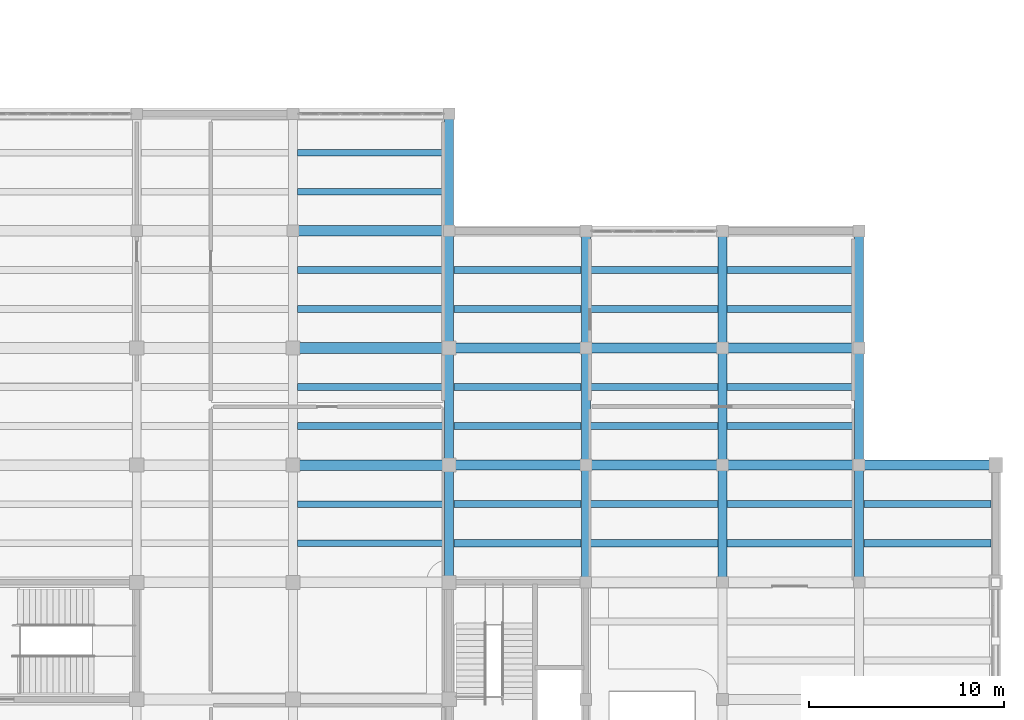
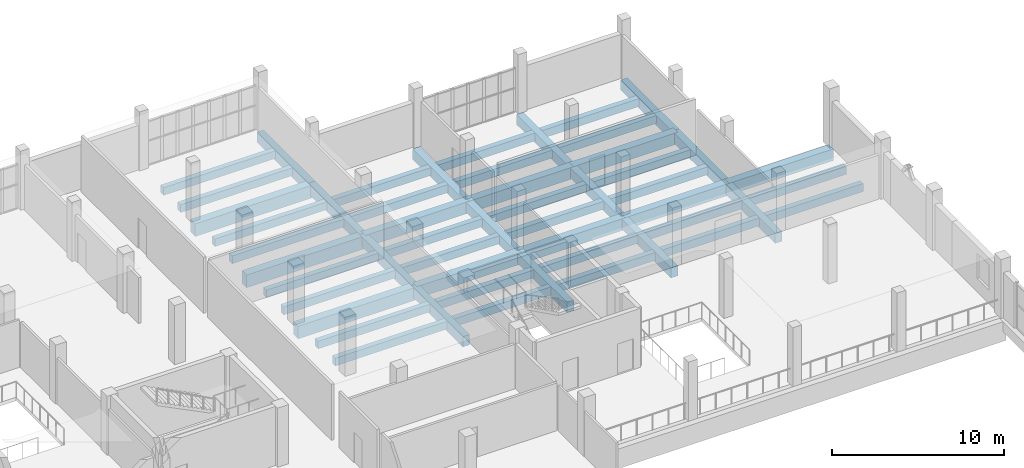
# One storey, part 30 of 85: 51 beams.
"""IFC4 building model written with IfcOpenShell, lengths in metres."""

from ifc_helpers import new_model, si_unit, direction, frame, origin, origin_2d, place, context, subcontext, project, spatial, rectangle, extrude, material, material_profile, profile_set, type_object, element, save


model = new_model("IFC4")

# Units and contexts
model_context = context("Model", 3, precision=1e-05, world=origin(), true_north=direction((0.0, 1.0)))
body_context = subcontext(model_context, "Body", "Model", "MODEL_VIEW")
ifc_project = project(units=[si_unit("LENGTHUNIT", "METRE"), si_unit("AREAUNIT", "SQUARE_METRE"), si_unit("VOLUMEUNIT", "CUBIC_METRE"), si_unit("PLANEANGLEUNIT", "RADIAN"), si_unit("MASSUNIT", "GRAM", prefix="KILO")], contexts=[model_context])

# Site, building, storey
site_placement = place(None, origin())
site = spatial("IfcSite", under=ifc_project, at=site_placement, CompositionType="ELEMENT")
building_placement = place(site_placement, origin())
building = spatial("IfcBuilding", under=site, at=building_placement, Name="Solvane Community Centre", CompositionType="ELEMENT")
storey_placement = place(building_placement, frame((0.0, 0.0, 5.39990234375)))
storey = spatial("IfcBuildingStorey", under=building, at=storey_placement, Name="L01", CompositionType="ELEMENT", Elevation=5.39990234375)

# Beams
ifc_material = material(Name="Concrete C35/45", Category="concrete")
ifc_material_profile_1 = material_profile(ifc_material, rectangle(XDim=0.4599609375, YDim=0.719970703125, at=origin_2d()), Name="RC 460x720")
ifc_profile_set_1 = profile_set([ifc_material_profile_1], Name="Concrete C35/45")
beam_type_1 = type_object("IfcBeamType", Name="RC Cloister Beam 460x720", PredefinedType="BEAM", material=ifc_profile_set_1)
for number, where, z_axis, x_axis, name in (
    (1, (140.0, 36.0, -0.599853515625), (0.0, 1.0, 0.0), (-1.0, 0.0, 0.0), "Beam BM-L01-1400_360-1400_420"),
    (2, (140.0, 42.0, -0.599853515625), (0.0, 1.0, 0.0), (-1.0, 0.0, 0.0), "Beam BM-L01-1400_420-1400_480"),
    (3, (140.0, 48.0, -0.599853515625), (0.0, 1.0, 0.0), (-1.0, 0.0, 0.0), "Beam BM-L01-1400_480-1400_540"),
    (4, (140.0, 54.0, -0.599853515625), (0.0, 1.0, 0.0), (-1.0, 0.0, 0.0), "Beam BM-L01-1400_540-1400_600"),
    (5, (147.0, 36.0, -0.599853515625), (0.0, 1.0, 0.0), (-1.0, 0.0, 0.0), "Beam BM-L01-1470_360-1470_420"),
    (6, (147.0, 42.0, -0.599853515625), (0.0, 1.0, 0.0), (-1.0, 0.0, 0.0), "Beam BM-L01-1470_420-1470_480"),
    (7, (147.0, 48.0, -0.599853515625), (0.0, 1.0, 0.0), (-1.0, 0.0, 0.0), "Beam BM-L01-1470_480-1470_540"),
    (8, (154.0, 36.0, -0.599853515625), (0.0, 1.0, 0.0), (-1.0, 0.0, 0.0), "Beam BM-L01-1540_360-1540_420"),
    (9, (154.0, 42.0, -0.599853515625), (0.0, 1.0, 0.0), (-1.0, 0.0, 0.0), "Beam BM-L01-1540_420-1540_480"),
    (10, (154.0, 48.0, -0.599853515625), (0.0, 1.0, 0.0), (-1.0, 0.0, 0.0), "Beam BM-L01-1540_480-1540_540"),
    (11, (161.0, 36.0, -0.599853515625), (0.0, 1.0, 0.0), (-1.0, 0.0, 0.0), "Beam BM-L01-1610_360-1610_420"),
    (12, (161.0, 42.0, -0.599853515625), (0.0, 1.0, 0.0), (-1.0, 0.0, 0.0), "Beam BM-L01-1610_420-1610_480"),
    (13, (161.0, 48.0, -0.599853515625), (0.0, 1.0, 0.0), (-1.0, 0.0, 0.0), "Beam BM-L01-1610_480-1610_540"),
):
    element("IfcBeam", number, at=place(storey_placement, frame(where, z_axis=z_axis, x_axis=x_axis)), inside=storey, type_object=beam_type_1, Name=name, PredefinedType="BEAM", context=body_context, shape_type="SweptSolid", body=[
        extrude(rectangle(XDim=0.4599609375, YDim=0.719970703125, at=origin_2d()), origin(), (0.0, 0.0, 1.0), 6.0),
    ])
ifc_material_profile_2 = material_profile(ifc_material, rectangle(XDim=0.550048828125, YDim=0.89990234375, at=origin_2d()), Name="RC 550x900")
ifc_profile_set_2 = profile_set([ifc_material_profile_2], Name="Concrete C35/45")
beam_type_2 = type_object("IfcBeamType", Name="RC Heavy Girder 550x900", PredefinedType="USERDEFINED", material=ifc_profile_set_2)
for number, where, z_axis, x_axis, name in (
    (14, (132.0, 42.0, -0.68994140625), (1.0, 0.0, 0.0), (0.0, 1.0, 0.0), "Beam BM-L01-1320_420-1400_420"),
    (15, (132.0, 48.0, -0.68994140625), (1.0, 0.0, 0.0), (0.0, 1.0, 0.0), "Beam BM-L01-1320_480-1400_480"),
    (16, (132.0, 54.0, -0.68994140625), (1.0, 0.0, 0.0), (0.0, 1.0, 0.0), "Beam BM-L01-1320_540-1400_540"),
):
    element("IfcBeam", number, at=place(storey_placement, frame(where, z_axis=z_axis, x_axis=x_axis)), inside=storey, type_object=beam_type_2, Name=name, ObjectType="GIRDER", PredefinedType="USERDEFINED", context=body_context, shape_type="SweptSolid", body=[
        extrude(rectangle(XDim=0.550048828125, YDim=0.89990234375, at=origin_2d()), origin(), (0.0, 0.0, 1.0), 8.0),
    ])
ifc_material_profile_3 = material_profile(ifc_material, rectangle(XDim=0.52001953125, YDim=0.830078125, at=origin_2d()), Name="RC 520x830")
ifc_profile_set_3 = profile_set([ifc_material_profile_3], Name="Concrete C35/45")
beam_type_3 = type_object("IfcBeamType", Name="RC Medium Girder 520x830", PredefinedType="USERDEFINED", material=ifc_profile_set_3)
for number, where, z_axis, x_axis, name in (
    (17, (140.0, 42.0, -0.65478515625), (1.0, 0.0, 0.0), (0.0, 1.0, 0.0), "Beam BM-L01-1400_420-1470_420"),
    (18, (147.0, 42.0, -0.65478515625), (1.0, 0.0, 0.0), (0.0, 1.0, 0.0), "Beam BM-L01-1470_420-1540_420"),
    (19, (154.0, 42.0, -0.65478515625), (1.0, 0.0, 0.0), (0.0, 1.0, 0.0), "Beam BM-L01-1540_420-1610_420"),
    (20, (161.0, 42.0, -0.65478515625), (1.0, 0.0, 0.0), (0.0, 1.0, 0.0), "Beam BM-L01-1610_420-1680_420"),
    (21, (140.0, 48.0, -0.65478515625), (1.0, 0.0, 0.0), (0.0, 1.0, 0.0), "Beam BM-L01-1400_480-1470_480"),
    (22, (147.0, 48.0, -0.65478515625), (1.0, 0.0, 0.0), (0.0, 1.0, 0.0), "Beam BM-L01-1470_480-1540_480"),
    (23, (154.0, 48.0, -0.65478515625), (1.0, 0.0, 0.0), (0.0, 1.0, 0.0), "Beam BM-L01-1540_480-1610_480"),
):
    element("IfcBeam", number, at=place(storey_placement, frame(where, z_axis=z_axis, x_axis=x_axis)), inside=storey, type_object=beam_type_3, Name=name, ObjectType="GIRDER", PredefinedType="USERDEFINED", context=body_context, shape_type="SweptSolid", body=[
        extrude(rectangle(XDim=0.52001953125, YDim=0.830078125, at=origin_2d()), origin(), (0.0, 0.0, 1.0), 7.0),
    ])
ifc_material_profile_4 = material_profile(ifc_material, rectangle(XDim=0.35009765625, YDim=0.550048828125, at=origin_2d()), Name="RC 350x550")
ifc_profile_set_4 = profile_set([ifc_material_profile_4], Name="Concrete C35/45")
beam_type_4 = type_object("IfcBeamType", Name="RC Secondary Joist 350x550", PredefinedType="JOIST", material=ifc_profile_set_4)
for number, where, z_axis, x_axis, name in (
    (24, (132.239990234375, 38.0, -0.514892578125), (1.0, 0.0, 0.0), (0.0, 1.0, 0.0), "Beam BM-L01-1322_380-1398_380"),
    (25, (132.239990234375, 40.0, -0.514892578125), (1.0, 0.0, 0.0), (0.0, 1.0, 0.0), "Beam BM-L01-1322_400-1398_400"),
    (26, (132.239990234375, 44.0, -0.514892578125), (1.0, 0.0, 0.0), (0.0, 1.0, 0.0), "Beam BM-L01-1322_440-1398_440"),
    (27, (132.239990234375, 46.0, -0.514892578125), (1.0, 0.0, 0.0), (0.0, 1.0, 0.0), "Beam BM-L01-1322_460-1398_460"),
    (28, (132.239990234375, 50.0, -0.514892578125), (1.0, 0.0, 0.0), (0.0, 1.0, 0.0), "Beam BM-L01-1322_500-1398_500"),
    (29, (132.239990234375, 52.0, -0.514892578125), (1.0, 0.0, 0.0), (0.0, 1.0, 0.0), "Beam BM-L01-1322_520-1398_520"),
    (30, (132.239990234375, 56.0, -0.514892578125), (1.0, 0.0, 0.0), (0.0, 1.0, 0.0), "Beam BM-L01-1322_560-1398_560"),
    (31, (132.239990234375, 58.0, -0.514892578125), (1.0, 0.0, 0.0), (0.0, 1.0, 0.0), "Beam BM-L01-1322_580-1398_580"),
):
    element("IfcBeam", number, at=place(storey_placement, frame(where, z_axis=z_axis, x_axis=x_axis)), inside=storey, type_object=beam_type_4, Name=name, PredefinedType="JOIST", context=body_context, shape_type="SweptSolid", body=[
        extrude(rectangle(XDim=0.35009765625, YDim=0.550048828125, at=origin_2d()), origin(), (0.0, 0.0, 1.0), 7.52001953125),
    ])
ifc_material_profile_5 = material_profile(ifc_material, rectangle(XDim=0.360107421875, YDim=0.56005859375, at=origin_2d()), Name="RC 360x560")
ifc_profile_set_5 = profile_set([ifc_material_profile_5], Name="Concrete C35/45")
beam_type_5 = type_object("IfcBeamType", Name="RC Terrace Joist 360x560", PredefinedType="JOIST", material=ifc_profile_set_5)
for number, where, z_axis, x_axis, name in (
    (32, (140.239990234375, 38.0, -0.52001953125), (1.0, 0.0, 0.0), (0.0, 1.0, 0.0), "Beam BM-L01-1402_380-1468_380"),
    (33, (140.239990234375, 40.0, -0.52001953125), (1.0, 0.0, 0.0), (0.0, 1.0, 0.0), "Beam BM-L01-1402_400-1468_400"),
    (34, (140.239990234375, 44.0, -0.52001953125), (1.0, 0.0, 0.0), (0.0, 1.0, 0.0), "Beam BM-L01-1402_440-1468_440"),
    (35, (140.239990234375, 46.0, -0.52001953125), (1.0, 0.0, 0.0), (0.0, 1.0, 0.0), "Beam BM-L01-1402_460-1468_460"),
    (36, (140.239990234375, 50.0, -0.52001953125), (1.0, 0.0, 0.0), (0.0, 1.0, 0.0), "Beam BM-L01-1402_500-1468_500"),
    (37, (140.239990234375, 52.0, -0.52001953125), (1.0, 0.0, 0.0), (0.0, 1.0, 0.0), "Beam BM-L01-1402_520-1468_520"),
    (38, (147.239990234375, 38.0, -0.52001953125), (1.0, 0.0, 0.0), (0.0, 1.0, 0.0), "Beam BM-L01-1472_380-1538_380"),
    (39, (147.239990234375, 40.0, -0.52001953125), (1.0, 0.0, 0.0), (0.0, 1.0, 0.0), "Beam BM-L01-1472_400-1538_400"),
    (40, (147.239990234375, 44.0, -0.52001953125), (1.0, 0.0, 0.0), (0.0, 1.0, 0.0), "Beam BM-L01-1472_440-1538_440"),
    (41, (147.239990234375, 46.0, -0.52001953125), (1.0, 0.0, 0.0), (0.0, 1.0, 0.0), "Beam BM-L01-1472_460-1538_460"),
    (42, (147.239990234375, 50.0, -0.52001953125), (1.0, 0.0, 0.0), (0.0, 1.0, 0.0), "Beam BM-L01-1472_500-1538_500"),
    (43, (147.239990234375, 52.0, -0.52001953125), (1.0, 0.0, 0.0), (0.0, 1.0, 0.0), "Beam BM-L01-1472_520-1538_520"),
    (44, (154.239990234375, 38.0, -0.52001953125), (1.0, 0.0, 0.0), (0.0, 1.0, 0.0), "Beam BM-L01-1542_380-1608_380"),
    (45, (154.239990234375, 40.0, -0.52001953125), (1.0, 0.0, 0.0), (0.0, 1.0, 0.0), "Beam BM-L01-1542_400-1608_400"),
    (46, (154.239990234375, 44.0, -0.52001953125), (1.0, 0.0, 0.0), (0.0, 1.0, 0.0), "Beam BM-L01-1542_440-1608_440"),
    (47, (154.239990234375, 46.0, -0.52001953125), (1.0, 0.0, 0.0), (0.0, 1.0, 0.0), "Beam BM-L01-1542_460-1608_460"),
    (48, (154.239990234375, 50.0, -0.52001953125), (1.0, 0.0, 0.0), (0.0, 1.0, 0.0), "Beam BM-L01-1542_500-1608_500"),
    (49, (154.239990234375, 52.0, -0.52001953125), (1.0, 0.0, 0.0), (0.0, 1.0, 0.0), "Beam BM-L01-1542_520-1608_520"),
    (50, (161.239990234375, 38.0, -0.52001953125), (1.0, 0.0, 0.0), (0.0, 1.0, 0.0), "Beam BM-L01-1612_380-1678_380"),
    (51, (161.239990234375, 40.0, -0.52001953125), (1.0, 0.0, 0.0), (0.0, 1.0, 0.0), "Beam BM-L01-1612_400-1678_400"),
):
    element("IfcBeam", number, at=place(storey_placement, frame(where, z_axis=z_axis, x_axis=x_axis)), inside=storey, type_object=beam_type_5, Name=name, PredefinedType="JOIST", context=body_context, shape_type="SweptSolid", body=[
        extrude(rectangle(XDim=0.360107421875, YDim=0.56005859375, at=origin_2d()), origin(), (0.0, 0.0, 1.0), 6.52001953125),
    ])

save(model, "model.ifc")
